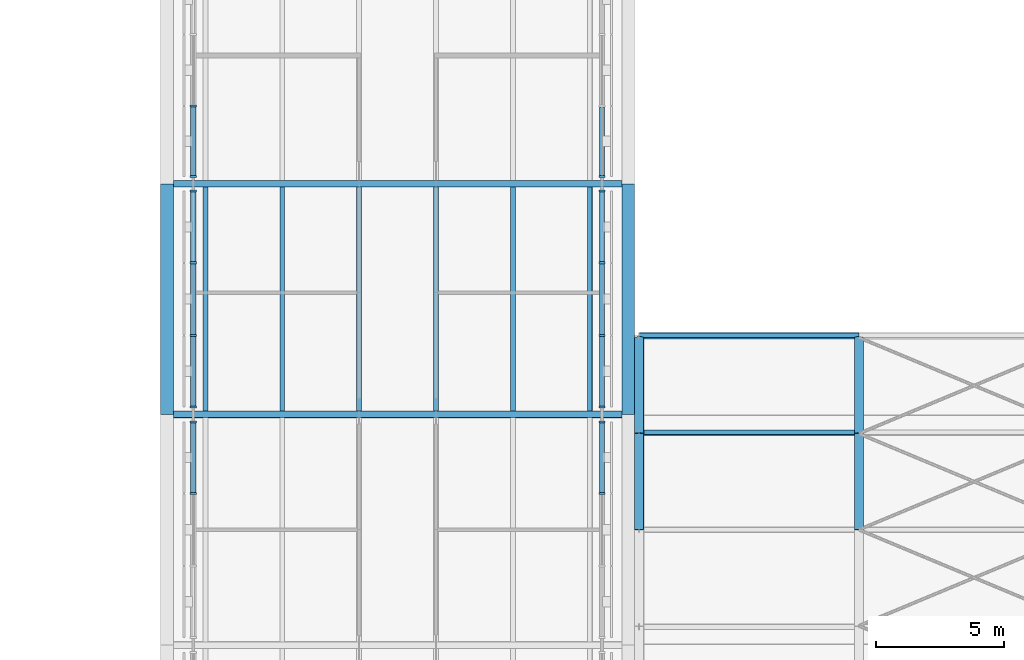
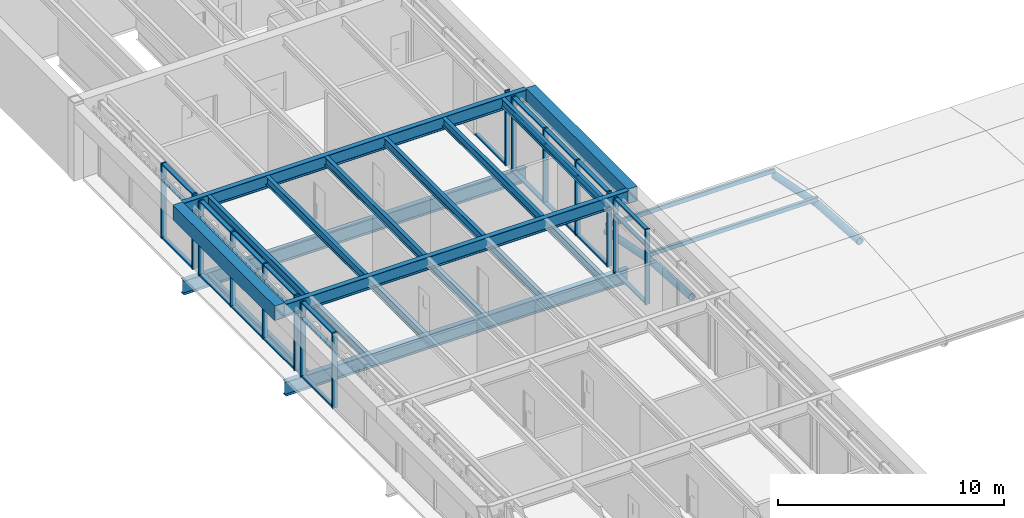
# One storey, part 6 of 43: 51 members, 16 beams, 6 elements without a shape of their own.
"""IFC4 building model written with IfcOpenShell, lengths in metres."""

from ifc_helpers import new_model, si_unit, direction, frame, origin, origin_2d, place, context, subcontext, project, spatial, rectangle, hollow_rectangle, hollow_circle, i_section, extrude, material, material_profile, profile_set, type_object, element, aggregate, save


model = new_model("IFC4")

# Units and contexts
model_context = context("Model", 3, precision=1e-05, world=origin(), true_north=direction((0.0, 1.0)))
body_context = subcontext(model_context, "Body", "Model", "MODEL_VIEW")
ifc_project = project(units=[si_unit("LENGTHUNIT", "METRE"), si_unit("AREAUNIT", "SQUARE_METRE"), si_unit("VOLUMEUNIT", "CUBIC_METRE"), si_unit("PLANEANGLEUNIT", "RADIAN"), si_unit("MASSUNIT", "GRAM", prefix="KILO")], contexts=[model_context])

# Site, building, storey
site_placement = place(None, origin())
site = spatial("IfcSite", under=ifc_project, at=site_placement, CompositionType="ELEMENT")
building_placement = place(site_placement, origin())
building = spatial("IfcBuilding", under=site, at=building_placement, Name="Baradari Gate Terminus", CompositionType="ELEMENT")
storey_placement = place(building_placement, frame((0.0, 0.0, 20.10009765625)))
storey = spatial("IfcBuildingStorey", under=building, at=storey_placement, Name="L04", CompositionType="ELEMENT", Elevation=20.10009765625)

# Curtain wall, members
ifc_material_1 = material(Name="Aluminium 6063-T6", Category="aluminium")
curtain_wall_type = type_object("IfcCurtainWallType", Name="Curtain wall CW-3 gate face, office floors", PredefinedType="NOTDEFINED", material=ifc_material_1)
curtain_wall_1_placement = place(storey_placement, origin())
curtain_wall_1 = element("IfcCurtainWall", 1, at=curtain_wall_1_placement, inside=storey, type_object=curtain_wall_type, Name="Curtain wall CW-3 gate west face L04 bay 3", PredefinedType="NOTDEFINED")
ifc_material_2 = material(Name="Aluminium 6063-T6", Category="aluminium")
ifc_material_profile_1 = material_profile(ifc_material_2, rectangle(XDim=0.25, YDim=0.080078125, at=origin_2d()), Name="CM-3 80X250")
ifc_profile_set_1 = profile_set([ifc_material_profile_1], Name="Aluminium 6063-T6")
member_type_1 = type_object("IfcMemberType", Name="Curtain wall mullion CM-3 80x250", PredefinedType="MULLION", material=ifc_profile_set_1)
member_1_placement = place(storey_placement, frame((73.02490234375, 59.916748046875, 0.0), z_axis=(0.0, 0.0, 1.0), x_axis=(-1.0, 0.0, 0.0)))
member_1 = element("IfcMember", 2, at=member_1_placement, type_object=member_type_1, Name="CW-3 mullion 3", PredefinedType="MULLION", context=body_context, shape_type="SweptSolid", body=[
    extrude(rectangle(XDim=0.25, YDim=0.080078125, at=origin_2d()), origin(), (0.0, 0.0, 1.0), 4.0498046875),
])
member_2_placement = place(storey_placement, frame((73.02490234375, 62.7099609375, 0.0), z_axis=(0.0, 0.0, 1.0), x_axis=(-1.0, 0.0, 0.0)))
member_2 = element("IfcMember", 3, at=member_2_placement, type_object=member_type_1, Name="CW-3 mullion 4", PredefinedType="MULLION", context=body_context, shape_type="SweptSolid", body=[
    extrude(rectangle(XDim=0.25, YDim=0.080078125, at=origin_2d()), origin(), (0.0, 0.0, 1.0), 4.0498046875),
])

curtain_wall_2_placement = place(storey_placement, origin())
curtain_wall_2 = element("IfcCurtainWall", 4, at=curtain_wall_2_placement, inside=storey, type_object=curtain_wall_type, Name="Curtain wall CW-3 gate west face L04 bay 4", PredefinedType="NOTDEFINED")
member_3_placement = place(storey_placement, frame((73.02490234375, 63.2900390625, 0.0), z_axis=(0.0, 0.0, 1.0), x_axis=(-1.0, 0.0, 0.0)))
member_3 = element("IfcMember", 5, at=member_3_placement, type_object=member_type_1, Name="CW-3 mullion 1", PredefinedType="MULLION", context=body_context, shape_type="SweptSolid", body=[
    extrude(rectangle(XDim=0.25, YDim=0.080078125, at=origin_2d()), origin(), (0.0, 0.0, 1.0), 4.0498046875),
])
member_4_placement = place(storey_placement, frame((73.02490234375, 66.083251953125, 0.0), z_axis=(0.0, 0.0, 1.0), x_axis=(-1.0, 0.0, 0.0)))
member_4 = element("IfcMember", 6, at=member_4_placement, type_object=member_type_1, Name="CW-3 mullion 2", PredefinedType="MULLION", context=body_context, shape_type="SweptSolid", body=[
    extrude(rectangle(XDim=0.25, YDim=0.080078125, at=origin_2d()), origin(), (0.0, 0.0, 1.0), 4.0498046875),
])
member_5_placement = place(storey_placement, frame((73.02490234375, 68.916748046875, 0.0), z_axis=(0.0, 0.0, 1.0), x_axis=(-1.0, 0.0, 0.0)))
member_5 = element("IfcMember", 7, at=member_5_placement, type_object=member_type_1, Name="CW-3 mullion 3", PredefinedType="MULLION", context=body_context, shape_type="SweptSolid", body=[
    extrude(rectangle(XDim=0.25, YDim=0.080078125, at=origin_2d()), origin(), (0.0, 0.0, 1.0), 4.0498046875),
])
member_6_placement = place(storey_placement, frame((73.02490234375, 71.7099609375, 0.0), z_axis=(0.0, 0.0, 1.0), x_axis=(-1.0, 0.0, 0.0)))
member_6 = element("IfcMember", 8, at=member_6_placement, type_object=member_type_1, Name="CW-3 mullion 4", PredefinedType="MULLION", context=body_context, shape_type="SweptSolid", body=[
    extrude(rectangle(XDim=0.25, YDim=0.080078125, at=origin_2d()), origin(), (0.0, 0.0, 1.0), 4.0498046875),
])

curtain_wall_3_placement = place(storey_placement, origin())
curtain_wall_3 = element("IfcCurtainWall", 9, at=curtain_wall_3_placement, inside=storey, type_object=curtain_wall_type, Name="Curtain wall CW-3 gate west face L04 bay 5", PredefinedType="NOTDEFINED")
member_7_placement = place(storey_placement, frame((73.02490234375, 72.2900390625, 0.0), z_axis=(0.0, 0.0, 1.0), x_axis=(-1.0, 0.0, 0.0)))
member_7 = element("IfcMember", 10, at=member_7_placement, type_object=member_type_1, Name="CW-3 mullion 1", PredefinedType="MULLION", context=body_context, shape_type="SweptSolid", body=[
    extrude(rectangle(XDim=0.25, YDim=0.080078125, at=origin_2d()), origin(), (0.0, 0.0, 1.0), 4.0498046875),
])
member_8_placement = place(storey_placement, frame((73.02490234375, 75.033447265625, 0.0), z_axis=(0.0, 0.0, 1.0), x_axis=(-1.0, 0.0, 0.0)))
member_8 = element("IfcMember", 11, at=member_8_placement, type_object=member_type_1, Name="CW-3 mullion 2", PredefinedType="MULLION", context=body_context, shape_type="SweptSolid", body=[
    extrude(rectangle(XDim=0.25, YDim=0.080078125, at=origin_2d()), origin(), (0.0, 0.0, 1.0), 4.0498046875),
])

curtain_wall_4_placement = place(storey_placement, origin())
curtain_wall_4 = element("IfcCurtainWall", 12, at=curtain_wall_4_placement, inside=storey, type_object=curtain_wall_type, Name="Curtain wall CW-3 gate east face L04 bay 3", PredefinedType="NOTDEFINED")
member_9_placement = place(storey_placement, frame((88.97509765625, 59.916748046875, 0.0), z_axis=(0.0, 0.0, 1.0), x_axis=(-1.0, 0.0, 0.0)))
member_9 = element("IfcMember", 13, at=member_9_placement, type_object=member_type_1, Name="CW-3 mullion 3", PredefinedType="MULLION", context=body_context, shape_type="SweptSolid", body=[
    extrude(rectangle(XDim=0.25, YDim=0.080078125, at=origin_2d()), origin(), (0.0, 0.0, 1.0), 4.0498046875),
])
member_10_placement = place(storey_placement, frame((88.97509765625, 62.7099609375, 0.0), z_axis=(0.0, 0.0, 1.0), x_axis=(-1.0, 0.0, 0.0)))
member_10 = element("IfcMember", 14, at=member_10_placement, type_object=member_type_1, Name="CW-3 mullion 4", PredefinedType="MULLION", context=body_context, shape_type="SweptSolid", body=[
    extrude(rectangle(XDim=0.25, YDim=0.080078125, at=origin_2d()), origin(), (0.0, 0.0, 1.0), 4.0498046875),
])

curtain_wall_5_placement = place(storey_placement, origin())
curtain_wall_5 = element("IfcCurtainWall", 15, at=curtain_wall_5_placement, inside=storey, type_object=curtain_wall_type, Name="Curtain wall CW-3 gate east face L04 bay 4", PredefinedType="NOTDEFINED")
member_11_placement = place(storey_placement, frame((88.97509765625, 63.2900390625, 0.0), z_axis=(0.0, 0.0, 1.0), x_axis=(-1.0, 0.0, 0.0)))
member_11 = element("IfcMember", 16, at=member_11_placement, type_object=member_type_1, Name="CW-3 mullion 1", PredefinedType="MULLION", context=body_context, shape_type="SweptSolid", body=[
    extrude(rectangle(XDim=0.25, YDim=0.080078125, at=origin_2d()), origin(), (0.0, 0.0, 1.0), 4.0498046875),
])
member_12_placement = place(storey_placement, frame((88.97509765625, 66.083251953125, 0.0), z_axis=(0.0, 0.0, 1.0), x_axis=(-1.0, 0.0, 0.0)))
member_12 = element("IfcMember", 17, at=member_12_placement, type_object=member_type_1, Name="CW-3 mullion 2", PredefinedType="MULLION", context=body_context, shape_type="SweptSolid", body=[
    extrude(rectangle(XDim=0.25, YDim=0.080078125, at=origin_2d()), origin(), (0.0, 0.0, 1.0), 4.0498046875),
])
member_13_placement = place(storey_placement, frame((88.97509765625, 68.916748046875, 0.0), z_axis=(0.0, 0.0, 1.0), x_axis=(-1.0, 0.0, 0.0)))
member_13 = element("IfcMember", 18, at=member_13_placement, type_object=member_type_1, Name="CW-3 mullion 3", PredefinedType="MULLION", context=body_context, shape_type="SweptSolid", body=[
    extrude(rectangle(XDim=0.25, YDim=0.080078125, at=origin_2d()), origin(), (0.0, 0.0, 1.0), 4.0498046875),
])
member_14_placement = place(storey_placement, frame((88.97509765625, 71.7099609375, 0.0), z_axis=(0.0, 0.0, 1.0), x_axis=(-1.0, 0.0, 0.0)))
member_14 = element("IfcMember", 19, at=member_14_placement, type_object=member_type_1, Name="CW-3 mullion 4", PredefinedType="MULLION", context=body_context, shape_type="SweptSolid", body=[
    extrude(rectangle(XDim=0.25, YDim=0.080078125, at=origin_2d()), origin(), (0.0, 0.0, 1.0), 4.0498046875),
])

# Curtain wall, member
curtain_wall_6_placement = place(storey_placement, origin())
curtain_wall_6 = element("IfcCurtainWall", 20, at=curtain_wall_6_placement, inside=storey, type_object=curtain_wall_type, Name="Curtain wall CW-3 gate east face L04 bay 5", PredefinedType="NOTDEFINED")
member_15_placement = place(storey_placement, frame((88.97509765625, 72.2900390625, 0.0), z_axis=(0.0, 0.0, 1.0), x_axis=(-1.0, 0.0, 0.0)))
member_15 = element("IfcMember", 21, at=member_15_placement, type_object=member_type_1, Name="CW-3 mullion 1", PredefinedType="MULLION", context=body_context, shape_type="SweptSolid", body=[
    extrude(rectangle(XDim=0.25, YDim=0.080078125, at=origin_2d()), origin(), (0.0, 0.0, 1.0), 4.0498046875),
])

# Member
ifc_material_3 = material(Name="Aluminium 6063-T6", Category="aluminium")
ifc_material_profile_2 = material_profile(ifc_material_3, rectangle(XDim=0.199951171875, YDim=0.080078125, at=origin_2d()), Name="CT-3 80X200")
ifc_profile_set_2 = profile_set([ifc_material_profile_2], Name="Aluminium 6063-T6")
member_type_2 = type_object("IfcMemberType", Name="Curtain wall transom CT-3 80x200", PredefinedType="USERDEFINED", material=ifc_profile_set_2)
member_16_placement = place(storey_placement, frame((73.02490234375, 59.956787109375, 0.039794921875), z_axis=(0.0, 1.0, 0.0), x_axis=(-1.0, 0.0, 0.0)))
member_16 = element("IfcMember", 22, at=member_16_placement, type_object=member_type_2, Name="CW-3 transom 3.1", ObjectType="TRANSOM", PredefinedType="USERDEFINED", context=body_context, shape_type="SweptSolid", body=[
    extrude(rectangle(XDim=0.199951171875, YDim=0.080078125, at=origin_2d()), origin(), (0.0, 0.0, 1.0), 2.713134765625),
])

member_17_placement = place(storey_placement, frame((73.02490234375, 59.956787109375, 3.14990234375), z_axis=(0.0, 1.0, 0.0), x_axis=(-1.0, 0.0, 0.0)))
member_17 = element("IfcMember", 23, at=member_17_placement, type_object=member_type_2, Name="CW-3 transom 3.2", ObjectType="TRANSOM", PredefinedType="USERDEFINED", context=body_context, shape_type="SweptSolid", body=[
    extrude(rectangle(XDim=0.199951171875, YDim=0.080078125, at=origin_2d()), origin(), (0.0, 0.0, 1.0), 2.713134765625),
])

member_18_placement = place(storey_placement, frame((73.02490234375, 59.956787109375, 4.010009765625), z_axis=(0.0, 1.0, 0.0), x_axis=(-1.0, 0.0, 0.0)))
member_18 = element("IfcMember", 24, at=member_18_placement, type_object=member_type_2, Name="CW-3 transom 3.3", ObjectType="TRANSOM", PredefinedType="USERDEFINED", context=body_context, shape_type="SweptSolid", body=[
    extrude(rectangle(XDim=0.199951171875, YDim=0.080078125, at=origin_2d()), origin(), (0.0, 0.0, 1.0), 2.713134765625),
])

aggregate(curtain_wall_1, [member_1, member_2, member_16, member_17, member_18])

member_19_placement = place(storey_placement, frame((73.02490234375, 63.330078125, 0.039794921875), z_axis=(0.0, 1.0, 0.0), x_axis=(-1.0, 0.0, 0.0)))
member_19 = element("IfcMember", 25, at=member_19_placement, type_object=member_type_2, Name="CW-3 transom 1.1", ObjectType="TRANSOM", PredefinedType="USERDEFINED", context=body_context, shape_type="SweptSolid", body=[
    extrude(rectangle(XDim=0.199951171875, YDim=0.080078125, at=origin_2d()), origin(), (0.0, 0.0, 1.0), 2.713134765625),
])

member_20_placement = place(storey_placement, frame((73.02490234375, 63.330078125, 3.14990234375), z_axis=(0.0, 1.0, 0.0), x_axis=(-1.0, 0.0, 0.0)))
member_20 = element("IfcMember", 26, at=member_20_placement, type_object=member_type_2, Name="CW-3 transom 1.2", ObjectType="TRANSOM", PredefinedType="USERDEFINED", context=body_context, shape_type="SweptSolid", body=[
    extrude(rectangle(XDim=0.199951171875, YDim=0.080078125, at=origin_2d()), origin(), (0.0, 0.0, 1.0), 2.713134765625),
])

member_21_placement = place(storey_placement, frame((73.02490234375, 63.330078125, 4.010009765625), z_axis=(0.0, 1.0, 0.0), x_axis=(-1.0, 0.0, 0.0)))
member_21 = element("IfcMember", 27, at=member_21_placement, type_object=member_type_2, Name="CW-3 transom 1.3", ObjectType="TRANSOM", PredefinedType="USERDEFINED", context=body_context, shape_type="SweptSolid", body=[
    extrude(rectangle(XDim=0.199951171875, YDim=0.080078125, at=origin_2d()), origin(), (0.0, 0.0, 1.0), 2.713134765625),
])

member_22_placement = place(storey_placement, frame((73.02490234375, 66.123291015625, 0.039794921875), z_axis=(0.0, 1.0, 0.0), x_axis=(-1.0, 0.0, 0.0)))
member_22 = element("IfcMember", 28, at=member_22_placement, type_object=member_type_2, Name="CW-3 transom 2.1", ObjectType="TRANSOM", PredefinedType="USERDEFINED", context=body_context, shape_type="SweptSolid", body=[
    extrude(rectangle(XDim=0.199951171875, YDim=0.080078125, at=origin_2d()), origin(), (0.0, 0.0, 1.0), 2.75341796875),
])

member_23_placement = place(storey_placement, frame((73.02490234375, 66.123291015625, 3.14990234375), z_axis=(0.0, 1.0, 0.0), x_axis=(-1.0, 0.0, 0.0)))
member_23 = element("IfcMember", 29, at=member_23_placement, type_object=member_type_2, Name="CW-3 transom 2.2", ObjectType="TRANSOM", PredefinedType="USERDEFINED", context=body_context, shape_type="SweptSolid", body=[
    extrude(rectangle(XDim=0.199951171875, YDim=0.080078125, at=origin_2d()), origin(), (0.0, 0.0, 1.0), 2.75341796875),
])

member_24_placement = place(storey_placement, frame((73.02490234375, 66.123291015625, 4.010009765625), z_axis=(0.0, 1.0, 0.0), x_axis=(-1.0, 0.0, 0.0)))
member_24 = element("IfcMember", 30, at=member_24_placement, type_object=member_type_2, Name="CW-3 transom 2.3", ObjectType="TRANSOM", PredefinedType="USERDEFINED", context=body_context, shape_type="SweptSolid", body=[
    extrude(rectangle(XDim=0.199951171875, YDim=0.080078125, at=origin_2d()), origin(), (0.0, 0.0, 1.0), 2.75341796875),
])

member_25_placement = place(storey_placement, frame((73.02490234375, 68.956787109375, 0.039794921875), z_axis=(0.0, 1.0, 0.0), x_axis=(-1.0, 0.0, 0.0)))
member_25 = element("IfcMember", 31, at=member_25_placement, type_object=member_type_2, Name="CW-3 transom 3.1", ObjectType="TRANSOM", PredefinedType="USERDEFINED", context=body_context, shape_type="SweptSolid", body=[
    extrude(rectangle(XDim=0.199951171875, YDim=0.080078125, at=origin_2d()), origin(), (0.0, 0.0, 1.0), 2.713134765625),
])

member_26_placement = place(storey_placement, frame((73.02490234375, 68.956787109375, 3.14990234375), z_axis=(0.0, 1.0, 0.0), x_axis=(-1.0, 0.0, 0.0)))
member_26 = element("IfcMember", 32, at=member_26_placement, type_object=member_type_2, Name="CW-3 transom 3.2", ObjectType="TRANSOM", PredefinedType="USERDEFINED", context=body_context, shape_type="SweptSolid", body=[
    extrude(rectangle(XDim=0.199951171875, YDim=0.080078125, at=origin_2d()), origin(), (0.0, 0.0, 1.0), 2.713134765625),
])

member_27_placement = place(storey_placement, frame((73.02490234375, 68.956787109375, 4.010009765625), z_axis=(0.0, 1.0, 0.0), x_axis=(-1.0, 0.0, 0.0)))
member_27 = element("IfcMember", 33, at=member_27_placement, type_object=member_type_2, Name="CW-3 transom 3.3", ObjectType="TRANSOM", PredefinedType="USERDEFINED", context=body_context, shape_type="SweptSolid", body=[
    extrude(rectangle(XDim=0.199951171875, YDim=0.080078125, at=origin_2d()), origin(), (0.0, 0.0, 1.0), 2.713134765625),
])

aggregate(curtain_wall_2, [member_3, member_4, member_5, member_6, member_19, member_20, member_21, member_22, member_23, member_24, member_25, member_26, member_27])

member_28_placement = place(storey_placement, frame((73.02490234375, 72.330078125, 0.039794921875), z_axis=(0.0, 1.0, 0.0), x_axis=(-1.0, 0.0, 0.0)))
member_28 = element("IfcMember", 34, at=member_28_placement, type_object=member_type_2, Name="CW-3 transom 1.1", ObjectType="TRANSOM", PredefinedType="USERDEFINED", context=body_context, shape_type="SweptSolid", body=[
    extrude(rectangle(XDim=0.199951171875, YDim=0.080078125, at=origin_2d()), origin(), (0.0, 0.0, 1.0), 2.663330078125),
])

member_29_placement = place(storey_placement, frame((73.02490234375, 72.330078125, 3.14990234375), z_axis=(0.0, 1.0, 0.0), x_axis=(-1.0, 0.0, 0.0)))
member_29 = element("IfcMember", 35, at=member_29_placement, type_object=member_type_2, Name="CW-3 transom 1.2", ObjectType="TRANSOM", PredefinedType="USERDEFINED", context=body_context, shape_type="SweptSolid", body=[
    extrude(rectangle(XDim=0.199951171875, YDim=0.080078125, at=origin_2d()), origin(), (0.0, 0.0, 1.0), 2.663330078125),
])

member_30_placement = place(storey_placement, frame((73.02490234375, 72.330078125, 4.010009765625), z_axis=(0.0, 1.0, 0.0), x_axis=(-1.0, 0.0, 0.0)))
member_30 = element("IfcMember", 36, at=member_30_placement, type_object=member_type_2, Name="CW-3 transom 1.3", ObjectType="TRANSOM", PredefinedType="USERDEFINED", context=body_context, shape_type="SweptSolid", body=[
    extrude(rectangle(XDim=0.199951171875, YDim=0.080078125, at=origin_2d()), origin(), (0.0, 0.0, 1.0), 2.663330078125),
])

aggregate(curtain_wall_3, [member_7, member_8, member_28, member_29, member_30])

member_31_placement = place(storey_placement, frame((88.97509765625, 59.956787109375, 0.039794921875), z_axis=(0.0, 1.0, 0.0), x_axis=(-1.0, 0.0, 0.0)))
member_31 = element("IfcMember", 37, at=member_31_placement, type_object=member_type_2, Name="CW-3 transom 3.1", ObjectType="TRANSOM", PredefinedType="USERDEFINED", context=body_context, shape_type="SweptSolid", body=[
    extrude(rectangle(XDim=0.199951171875, YDim=0.080078125, at=origin_2d()), origin(), (0.0, 0.0, 1.0), 2.713134765625),
])

member_32_placement = place(storey_placement, frame((88.97509765625, 59.956787109375, 3.14990234375), z_axis=(0.0, 1.0, 0.0), x_axis=(-1.0, 0.0, 0.0)))
member_32 = element("IfcMember", 38, at=member_32_placement, type_object=member_type_2, Name="CW-3 transom 3.2", ObjectType="TRANSOM", PredefinedType="USERDEFINED", context=body_context, shape_type="SweptSolid", body=[
    extrude(rectangle(XDim=0.199951171875, YDim=0.080078125, at=origin_2d()), origin(), (0.0, 0.0, 1.0), 2.713134765625),
])

member_33_placement = place(storey_placement, frame((88.97509765625, 59.956787109375, 4.010009765625), z_axis=(0.0, 1.0, 0.0), x_axis=(-1.0, 0.0, 0.0)))
member_33 = element("IfcMember", 39, at=member_33_placement, type_object=member_type_2, Name="CW-3 transom 3.3", ObjectType="TRANSOM", PredefinedType="USERDEFINED", context=body_context, shape_type="SweptSolid", body=[
    extrude(rectangle(XDim=0.199951171875, YDim=0.080078125, at=origin_2d()), origin(), (0.0, 0.0, 1.0), 2.713134765625),
])

aggregate(curtain_wall_4, [member_9, member_10, member_31, member_32, member_33])

member_34_placement = place(storey_placement, frame((88.97509765625, 63.330078125, 0.039794921875), z_axis=(0.0, 1.0, 0.0), x_axis=(-1.0, 0.0, 0.0)))
member_34 = element("IfcMember", 40, at=member_34_placement, type_object=member_type_2, Name="CW-3 transom 1.1", ObjectType="TRANSOM", PredefinedType="USERDEFINED", context=body_context, shape_type="SweptSolid", body=[
    extrude(rectangle(XDim=0.199951171875, YDim=0.080078125, at=origin_2d()), origin(), (0.0, 0.0, 1.0), 2.713134765625),
])

member_35_placement = place(storey_placement, frame((88.97509765625, 63.330078125, 3.14990234375), z_axis=(0.0, 1.0, 0.0), x_axis=(-1.0, 0.0, 0.0)))
member_35 = element("IfcMember", 41, at=member_35_placement, type_object=member_type_2, Name="CW-3 transom 1.2", ObjectType="TRANSOM", PredefinedType="USERDEFINED", context=body_context, shape_type="SweptSolid", body=[
    extrude(rectangle(XDim=0.199951171875, YDim=0.080078125, at=origin_2d()), origin(), (0.0, 0.0, 1.0), 2.713134765625),
])

member_36_placement = place(storey_placement, frame((88.97509765625, 63.330078125, 4.010009765625), z_axis=(0.0, 1.0, 0.0), x_axis=(-1.0, 0.0, 0.0)))
member_36 = element("IfcMember", 42, at=member_36_placement, type_object=member_type_2, Name="CW-3 transom 1.3", ObjectType="TRANSOM", PredefinedType="USERDEFINED", context=body_context, shape_type="SweptSolid", body=[
    extrude(rectangle(XDim=0.199951171875, YDim=0.080078125, at=origin_2d()), origin(), (0.0, 0.0, 1.0), 2.713134765625),
])

member_37_placement = place(storey_placement, frame((88.97509765625, 66.123291015625, 0.039794921875), z_axis=(0.0, 1.0, 0.0), x_axis=(-1.0, 0.0, 0.0)))
member_37 = element("IfcMember", 43, at=member_37_placement, type_object=member_type_2, Name="CW-3 transom 2.1", ObjectType="TRANSOM", PredefinedType="USERDEFINED", context=body_context, shape_type="SweptSolid", body=[
    extrude(rectangle(XDim=0.199951171875, YDim=0.080078125, at=origin_2d()), origin(), (0.0, 0.0, 1.0), 2.75341796875),
])

member_38_placement = place(storey_placement, frame((88.97509765625, 66.123291015625, 3.14990234375), z_axis=(0.0, 1.0, 0.0), x_axis=(-1.0, 0.0, 0.0)))
member_38 = element("IfcMember", 44, at=member_38_placement, type_object=member_type_2, Name="CW-3 transom 2.2", ObjectType="TRANSOM", PredefinedType="USERDEFINED", context=body_context, shape_type="SweptSolid", body=[
    extrude(rectangle(XDim=0.199951171875, YDim=0.080078125, at=origin_2d()), origin(), (0.0, 0.0, 1.0), 2.75341796875),
])

member_39_placement = place(storey_placement, frame((88.97509765625, 66.123291015625, 4.010009765625), z_axis=(0.0, 1.0, 0.0), x_axis=(-1.0, 0.0, 0.0)))
member_39 = element("IfcMember", 45, at=member_39_placement, type_object=member_type_2, Name="CW-3 transom 2.3", ObjectType="TRANSOM", PredefinedType="USERDEFINED", context=body_context, shape_type="SweptSolid", body=[
    extrude(rectangle(XDim=0.199951171875, YDim=0.080078125, at=origin_2d()), origin(), (0.0, 0.0, 1.0), 2.75341796875),
])

member_40_placement = place(storey_placement, frame((88.97509765625, 68.956787109375, 0.039794921875), z_axis=(0.0, 1.0, 0.0), x_axis=(-1.0, 0.0, 0.0)))
member_40 = element("IfcMember", 46, at=member_40_placement, type_object=member_type_2, Name="CW-3 transom 3.1", ObjectType="TRANSOM", PredefinedType="USERDEFINED", context=body_context, shape_type="SweptSolid", body=[
    extrude(rectangle(XDim=0.199951171875, YDim=0.080078125, at=origin_2d()), origin(), (0.0, 0.0, 1.0), 2.713134765625),
])

member_41_placement = place(storey_placement, frame((88.97509765625, 68.956787109375, 3.14990234375), z_axis=(0.0, 1.0, 0.0), x_axis=(-1.0, 0.0, 0.0)))
member_41 = element("IfcMember", 47, at=member_41_placement, type_object=member_type_2, Name="CW-3 transom 3.2", ObjectType="TRANSOM", PredefinedType="USERDEFINED", context=body_context, shape_type="SweptSolid", body=[
    extrude(rectangle(XDim=0.199951171875, YDim=0.080078125, at=origin_2d()), origin(), (0.0, 0.0, 1.0), 2.713134765625),
])

member_42_placement = place(storey_placement, frame((88.97509765625, 68.956787109375, 4.010009765625), z_axis=(0.0, 1.0, 0.0), x_axis=(-1.0, 0.0, 0.0)))
member_42 = element("IfcMember", 48, at=member_42_placement, type_object=member_type_2, Name="CW-3 transom 3.3", ObjectType="TRANSOM", PredefinedType="USERDEFINED", context=body_context, shape_type="SweptSolid", body=[
    extrude(rectangle(XDim=0.199951171875, YDim=0.080078125, at=origin_2d()), origin(), (0.0, 0.0, 1.0), 2.713134765625),
])

aggregate(curtain_wall_5, [member_11, member_12, member_13, member_14, member_34, member_35, member_36, member_37, member_38, member_39, member_40, member_41, member_42])

member_43_placement = place(storey_placement, frame((88.97509765625, 72.330078125, 0.039794921875), z_axis=(0.0, 1.0, 0.0), x_axis=(-1.0, 0.0, 0.0)))
member_43 = element("IfcMember", 49, at=member_43_placement, type_object=member_type_2, Name="CW-3 transom 1.1", ObjectType="TRANSOM", PredefinedType="USERDEFINED", context=body_context, shape_type="SweptSolid", body=[
    extrude(rectangle(XDim=0.199951171875, YDim=0.080078125, at=origin_2d()), origin(), (0.0, 0.0, 1.0), 2.663330078125),
])

aggregate(curtain_wall_6, [member_15, member_43])

# Beams
ifc_material_4 = material(Name="Steel S355", Category="steel")
ifc_material_profile_3 = material_profile(ifc_material_4, i_section(OverallWidth=0.2666015625, OverallDepth=0.76220703125, WebThickness=0.014404296875, FlangeThickness=0.021484375, FilletRadius=0.0166015625, at=origin_2d()), Name="UB 762x267x173")
ifc_profile_set_3 = profile_set([ifc_material_profile_3], Name="Steel S355")
beam_type_1 = type_object("IfcBeamType", Name="Gate girder B30 UB 762x267x173", PredefinedType="BEAM", material=ifc_profile_set_3)
for number, where, z_axis, x_axis, name in (
    (50, (72.25, 63.0, -0.53125), (1.0, 0.0, 0.0), (0.0, 1.0, 0.0), "Gate girder B30 H:72.25-89.75 L04"),
    (51, (72.25, 72.0, -0.53125), (1.0, 0.0, 0.0), (0.0, 1.0, 0.0), "Gate girder B30 J:72.25-89.75 L04"),
):
    element("IfcBeam", number, at=place(storey_placement, frame(where, z_axis=z_axis, x_axis=x_axis)), inside=storey, type_object=beam_type_1, Name=name, PredefinedType="BEAM", context=body_context, shape_type="SweptSolid", body=[
        extrude(i_section(OverallWidth=0.2666015625, OverallDepth=0.76220703125, WebThickness=0.014404296875, FlangeThickness=0.021484375, FilletRadius=0.0166015625, at=origin_2d()), origin(), (0.0, 0.0, 1.0), 17.5),
    ])
ifc_material_5 = material(Name="Steel S355", Category="steel")
ifc_material_profile_4 = material_profile(ifc_material_5, i_section(OverallWidth=0.25439453125, OverallDepth=0.6875, WebThickness=0.01318359375, FlangeThickness=0.02099609375, FilletRadius=0.01513671875, at=origin_2d()), Name="UB 686x254x152")
ifc_profile_set_4 = profile_set([ifc_material_profile_4], Name="Steel S355")
beam_type_2 = type_object("IfcBeamType", Name="Gate roof girder B56 UB 686x254x152", PredefinedType="BEAM", material=ifc_profile_set_4)
for number, where, z_axis, x_axis, name in (
    (52, (72.25, 63.0, 3.7060546875), (1.0, 0.0, 0.0), (0.0, 1.0, 0.0), "Gate roof girder B56 H:72.25-89.75 L04"),
    (53, (72.25, 72.0, 3.7060546875), (1.0, 0.0, 0.0), (0.0, 1.0, 0.0), "Gate roof girder B56 J:72.25-89.75 L04"),
):
    element("IfcBeam", number, at=place(storey_placement, frame(where, z_axis=z_axis, x_axis=x_axis)), inside=storey, type_object=beam_type_2, Name=name, PredefinedType="BEAM", context=body_context, shape_type="SweptSolid", body=[
        extrude(i_section(OverallWidth=0.25439453125, OverallDepth=0.6875, WebThickness=0.01318359375, FlangeThickness=0.02099609375, FilletRadius=0.01513671875, at=origin_2d()), origin(), (0.0, 0.0, 1.0), 17.5),
    ])
ifc_material_6 = material(Name="Steel S355", Category="steel")
ifc_material_profile_5 = material_profile(ifc_material_6, i_section(OverallWidth=0.18994140625, OverallDepth=0.453369140625, WebThickness=0.008544921875, FlangeThickness=0.0126953125, FilletRadius=0.01025390625, at=origin_2d()), Name="UB 457x191x67")
ifc_profile_set_5 = profile_set([ifc_material_profile_5], Name="Steel S355")
beam_type_3 = type_object("IfcBeamType", Name="Gate roof secondary beam B57 UB 457x191x67", PredefinedType="BEAM", material=ifc_profile_set_5)
for number, where, z_axis, x_axis, name in (
    (54, (73.5, 63.127197265625, 3.8232421875), (0.0, 1.0, 0.0), (-1.0, 0.0, 0.0), "Gate roof secondary beam B57 73.5:63.127-71.873 L04"),
    (55, (76.5, 63.127197265625, 3.8232421875), (0.0, 1.0, 0.0), (-1.0, 0.0, 0.0), "Gate roof secondary beam B57 76.5:63.127-71.873 L04"),
    (56, (79.5, 63.127197265625, 3.8232421875), (0.0, 1.0, 0.0), (-1.0, 0.0, 0.0), "Gate roof secondary beam B57 79.5:63.127-71.873 L04"),
    (57, (82.5, 63.127197265625, 3.8232421875), (0.0, 1.0, 0.0), (-1.0, 0.0, 0.0), "Gate roof secondary beam B57 82.5:63.127-71.873 L04"),
    (58, (85.5, 63.127197265625, 3.8232421875), (0.0, 1.0, 0.0), (-1.0, 0.0, 0.0), "Gate roof secondary beam B57 85.5:63.127-71.873 L04"),
    (59, (88.5, 63.127197265625, 3.8232421875), (0.0, 1.0, 0.0), (-1.0, 0.0, 0.0), "Gate roof secondary beam B57 88.5:63.127-71.873 L04"),
):
    element("IfcBeam", number, at=place(storey_placement, frame(where, z_axis=z_axis, x_axis=x_axis)), inside=storey, type_object=beam_type_3, Name=name, PredefinedType="BEAM", context=body_context, shape_type="SweptSolid", body=[
        extrude(i_section(OverallWidth=0.18994140625, OverallDepth=0.453369140625, WebThickness=0.008544921875, FlangeThickness=0.0126953125, FilletRadius=0.01025390625, at=origin_2d()), origin(), (0.0, 0.0, 1.0), 8.74560546875),
    ])
ifc_material_7 = material(Name="Steel S355", Category="steel")
ifc_material_profile_6 = material_profile(ifc_material_7, i_section(OverallWidth=0.19140625, OverallDepth=0.4599609375, WebThickness=0.010009765625, FlangeThickness=0.01611328125, FilletRadius=0.01025390625, at=origin_2d()), Name="UB 457x191x82")
ifc_profile_set_6 = profile_set([ifc_material_profile_6], Name="Steel S355")
beam_type_4 = type_object("IfcBeamType", Name="Gate secondary beam B31 UB 457x191x82", PredefinedType="BEAM", material=ifc_profile_set_6)
for number, where, z_axis, x_axis, name in (
    (60, (73.5, 63.13330078125, -0.380126953125), (0.0, 1.0, 0.0), (-1.0, 0.0, 0.0), "Gate secondary beam B31 73.5:63.133-71.867 L04"),
    (61, (76.5, 63.13330078125, -0.380126953125), (0.0, 1.0, 0.0), (-1.0, 0.0, 0.0), "Gate secondary beam B31 76.5:63.133-71.867 L04"),
    (62, (79.5, 63.13330078125, -0.380126953125), (0.0, 1.0, 0.0), (-1.0, 0.0, 0.0), "Gate secondary beam B31 79.5:63.133-71.867 L04"),
    (63, (82.5, 63.13330078125, -0.380126953125), (0.0, 1.0, 0.0), (-1.0, 0.0, 0.0), "Gate secondary beam B31 82.5:63.133-71.867 L04"),
    (64, (85.5, 63.13330078125, -0.380126953125), (0.0, 1.0, 0.0), (-1.0, 0.0, 0.0), "Gate secondary beam B31 85.5:63.133-71.867 L04"),
    (65, (88.5, 63.13330078125, -0.380126953125), (0.0, 1.0, 0.0), (-1.0, 0.0, 0.0), "Gate secondary beam B31 88.5:63.133-71.867 L04"),
):
    element("IfcBeam", number, at=place(storey_placement, frame(where, z_axis=z_axis, x_axis=x_axis)), inside=storey, type_object=beam_type_4, Name=name, PredefinedType="BEAM", context=body_context, shape_type="SweptSolid", body=[
        extrude(i_section(OverallWidth=0.19140625, OverallDepth=0.4599609375, WebThickness=0.010009765625, FlangeThickness=0.01611328125, FilletRadius=0.01025390625, at=origin_2d()), origin(), (0.0, 0.0, 1.0), 8.7333984375),
    ])

# Members
ifc_material_8 = material(Name="Steel S355", Category="steel")
ifc_material_profile_7 = material_profile(ifc_material_8, hollow_circle(Radius=0.177734375, WallThickness=0.01611328125, at=origin_2d()), Name="CHS 355.6x16")
ifc_profile_set_7 = profile_set([ifc_material_profile_7], Name="Steel S355")
member_type_3 = type_object("IfcMemberType", Name="Shed abutment rail CHS 355.6x16", PredefinedType="CHORD", material=ifc_profile_set_7)
member_44_placement = place(storey_placement, frame((90.427734375, 58.5, 0.736328125), z_axis=(0.0, 0.997785157857, -0.066519010524), x_axis=(-1.0, 0.0, 0.0)))
element("IfcMember", 66, at=member_44_placement, inside=storey, type_object=member_type_3, Name="TR/L04/LR06", PredefinedType="CHORD", context=body_context, shape_type="SweptSolid", body=[
    extrude(hollow_circle(Radius=0.177734375, WallThickness=0.01611328125, at=origin_2d()), origin(), (0.0, 0.0, 1.0), 3.75830078125),
])
member_45_placement = place(storey_placement, frame((90.427734375, 62.25, 0.486328125), z_axis=(0.0, 0.980580675691, -0.196116135138), x_axis=(-1.0, 0.0, 0.0)))
element("IfcMember", 67, at=member_45_placement, inside=storey, type_object=member_type_3, Name="TR/L04/LR07", PredefinedType="CHORD", context=body_context, shape_type="SweptSolid", body=[
    extrude(hollow_circle(Radius=0.177734375, WallThickness=0.01611328125, at=origin_2d()), origin(), (0.0, 0.0, 1.0), 3.82421875),
])
ifc_material_9 = material(Name="Steel S355", Category="steel")
ifc_material_profile_8 = material_profile(ifc_material_9, hollow_rectangle(XDim=0.199951171875, YDim=0.199951171875, WallThickness=0.008056640625, InnerFilletRadius=0.008056640625, OuterFilletRadius=0.01611328125, at=origin_2d()), Name="SHS 200x200x8")
ifc_profile_set_8 = profile_set([ifc_material_profile_8], Name="Steel S355")
member_type_4 = type_object("IfcMemberType", Name="Shed purlin SHS 200x200x8", PredefinedType="PURLIN", material=ifc_profile_set_8)
for number, where, z_axis, x_axis, name in (
    (68, (90.427734375, 62.284912109375, 0.75), (1.0, 0.0, 0.0), (0.0, 0.99130302961, -0.131599025396), "TR/L04/B99-PU07"),
    (69, (90.427734375, 66.068115234375, -0.006591796875), (1.0, 0.0, 0.0), (0.0, 0.966499648767, -0.256667935149), "TR/L04/B99-PU08"),
):
    element("IfcMember", number, at=place(storey_placement, frame(where, z_axis=z_axis, x_axis=x_axis)), inside=storey, type_object=member_type_4, Name=name, PredefinedType="PURLIN", context=body_context, shape_type="SweptSolid", body=[
        extrude(hollow_rectangle(XDim=0.199951171875, YDim=0.199951171875, WallThickness=0.008056640625, InnerFilletRadius=0.008056640625, OuterFilletRadius=0.01611328125, at=origin_2d()), origin(), (0.0, 0.0, 1.0), 8.572265625),
    ])
ifc_material_10 = material(Name="Steel S355", Category="steel")
ifc_material_profile_9 = material_profile(ifc_material_10, hollow_circle(Radius=0.177734375, WallThickness=0.01611328125, at=origin_2d()), Name="CHS 355.6x16")
ifc_profile_set_9 = profile_set([ifc_material_profile_9], Name="Steel S355")
member_type_5 = type_object("IfcMemberType", Name="Shed top chord CHS 355.6x16", PredefinedType="CHORD", material=ifc_profile_set_9)
member_46_placement = place(storey_placement, frame((99.0, 58.5, 0.736328125), z_axis=(0.0, 0.997785157857, -0.066519010524), x_axis=(-1.0, 0.0, 0.0)))
element("IfcMember", 70, at=member_46_placement, inside=storey, type_object=member_type_5, Name="TR/L04/S99-TC06", PredefinedType="CHORD", context=body_context, shape_type="SweptSolid", body=[
    extrude(hollow_circle(Radius=0.177734375, WallThickness=0.01611328125, at=origin_2d()), origin(), (0.0, 0.0, 1.0), 3.75830078125),
])
member_47_placement = place(storey_placement, frame((99.0, 62.25, 0.486328125), z_axis=(0.0, 0.980580675691, -0.196116135138), x_axis=(-1.0, 0.0, 0.0)))
element("IfcMember", 71, at=member_47_placement, inside=storey, type_object=member_type_5, Name="TR/L04/S99-TC07", PredefinedType="CHORD", context=body_context, shape_type="SweptSolid", body=[
    extrude(hollow_circle(Radius=0.177734375, WallThickness=0.01611328125, at=origin_2d()), origin(), (0.0, 0.0, 1.0), 3.82421875),
])
ifc_material_11 = material(Name="Steel S355", Category="steel")
ifc_material_profile_10 = material_profile(ifc_material_11, hollow_rectangle(XDim=0.5, YDim=0.800048828125, WallThickness=0.031982421875, at=origin_2d()), Name="FB 500x800x32")
ifc_profile_set_10 = profile_set([ifc_material_profile_10], Name="Steel S355")
member_type_6 = type_object("IfcMemberType", Name="Transfer truss top chord FB 500x800x32", PredefinedType="CHORD", material=ifc_profile_set_10)
for number, where, z_axis, x_axis, name in (
    (72, (72.0, 63.0, 3.64990234375), (0.0, 1.0, 0.0), (-1.0, 0.0, 0.0), "TR/L04/G72-TC3"),
    (73, (90.0, 63.0, 3.64990234375), (0.0, 1.0, 0.0), (-1.0, 0.0, 0.0), "TR/L04/G90-TC3"),
):
    element("IfcMember", number, at=place(storey_placement, frame(where, z_axis=z_axis, x_axis=x_axis)), inside=storey, type_object=member_type_6, Name=name, PredefinedType="CHORD", context=body_context, shape_type="SweptSolid", body=[
        extrude(hollow_rectangle(XDim=0.5, YDim=0.800048828125, WallThickness=0.031982421875, at=origin_2d()), origin(), (0.0, 0.0, 1.0), 9.0),
    ])

save(model, "model.ifc")
